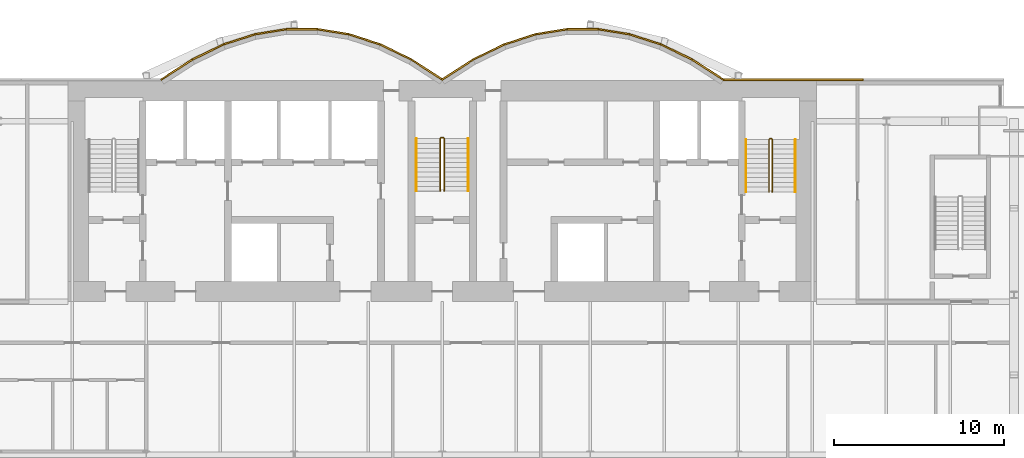
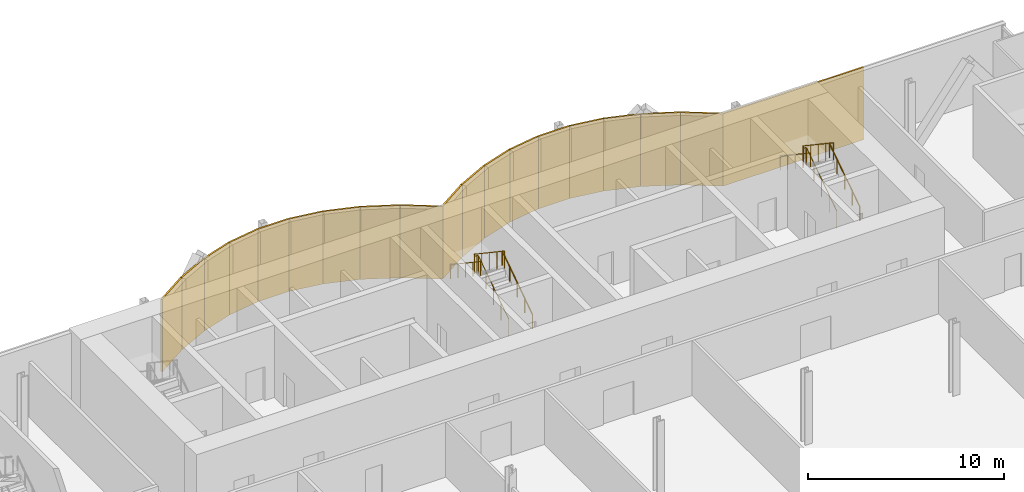
# One storey, part 20 of 21: 19 coverings, 6 railings.
"""IFC4 building model written with IfcOpenShell, lengths in metres."""

from ifc_helpers import new_model, si_unit, direction, frame, origin, origin_2d, place, context, subcontext, project, spatial, rectangle, circle, extrude, material, layer, layer_set, type_object, element, save


model = new_model("IFC4")

# Units and contexts
model_context = context("Model", 3, precision=1e-05, world=origin(), true_north=direction((0.0, 1.0)))
body_context = subcontext(model_context, "Body", "Model", "MODEL_VIEW")
ifc_project = project(units=[si_unit("LENGTHUNIT", "METRE"), si_unit("AREAUNIT", "SQUARE_METRE"), si_unit("VOLUMEUNIT", "CUBIC_METRE"), si_unit("PLANEANGLEUNIT", "RADIAN"), si_unit("MASSUNIT", "GRAM", prefix="KILO")], contexts=[model_context])

# Site, building, storey
site_placement = place(None, origin())
site = spatial("IfcSite", under=ifc_project, at=site_placement, CompositionType="ELEMENT")
building_placement = place(site_placement, origin())
building = spatial("IfcBuilding", under=site, at=building_placement, Name="Bicima Exchange Tower", CompositionType="ELEMENT")
storey_placement = place(building_placement, frame((0.0, 0.0, 66.5)))
storey = spatial("IfcBuildingStorey", under=building, at=storey_placement, Name="L13", CompositionType="ELEMENT", Elevation=66.5)

# Coverings
ifc_material_1 = material(Name="Bronze metal cladding")
ifc_layer_1 = layer(ifc_material_1, 0.004)
ifc_material_2 = material(Name="Ventilated cavity")
ifc_layer_2 = layer(ifc_material_2, 0.06)
ifc_material_3 = material(Name="Galvanised steel rail and mineral wool", Category="steel")
ifc_layer_3 = layer(ifc_material_3, 0.036)
ifc_layer_set = layer_set([ifc_layer_1, ifc_layer_2, ifc_layer_3], Name="Ventilated cavity")
covering_type = type_object("IfcCoveringType", Name="Bronze metal cladding panel 100", PredefinedType="CLADDING", material=ifc_layer_set)
covering_1_placement = place(storey_placement, frame((20.625, 0.050048828125, -0.14990234375), z_axis=(0.0, 0.0, 1.0), x_axis=(-1.0, 0.0, 0.0)))
element("IfcCovering", 1, at=covering_1_placement, inside=storey, type_object=covering_type, Name="Bronze cladding L13 1.2", PredefinedType="CLADDING", context=body_context, shape_type="SweptSolid", body=[
    extrude(rectangle(XDim=8.25, YDim=0.10009765625, at=origin_2d()), origin(), (0.0, 0.0, 1.0), 4.5),
])
covering_2_placement = place(storey_placement, frame((15.610595703125, 0.634521484375, -0.14990234375), z_axis=(0.0, 0.0, 1.0), x_axis=(-0.839790466384, 0.542910648791, 0.0)))
element("IfcCovering", 2, at=covering_2_placement, inside=storey, type_object=covering_type, Name="Bronze cladding L13 2.1", PredefinedType="CLADDING", context=body_context, shape_type="SweptSolid", body=[
    extrude(rectangle(XDim=2.18310546875, YDim=0.10009765625, at=origin_2d()), origin(), (0.0, 0.0, 1.0), 4.5),
])
covering_3_placement = place(storey_placement, frame((13.771728515625, 1.674560546875, -0.14990234375), z_axis=(0.0, 0.0, 1.0), x_axis=(-0.899818346812, 0.436264762204, 0.0)))
element("IfcCovering", 3, at=covering_3_placement, inside=storey, type_object=covering_type, Name="Bronze cladding L13 3.1", PredefinedType="CLADDING", context=body_context, shape_type="SweptSolid", body=[
    extrude(rectangle(XDim=2.03759765625, YDim=0.10009765625, at=origin_2d()), origin(), (0.0, 0.0, 1.0), 4.5),
])
covering_4_placement = place(storey_placement, frame((11.931884765625, 2.41796875, -0.14990234375), z_axis=(0.0, 0.0, 1.0), x_axis=(-0.951524642381, 0.307572519808, 0.0)))
element("IfcCovering", 4, at=covering_4_placement, inside=storey, type_object=covering_type, Name="Bronze cladding L13 4.1", PredefinedType="CLADDING", context=body_context, shape_type="SweptSolid", body=[
    extrude(rectangle(XDim=1.9267578125, YDim=0.10009765625, at=origin_2d()), origin(), (0.0, 0.0, 1.0), 4.5),
])
covering_5_placement = place(storey_placement, frame((10.09130859375, 2.8642578125, -0.14990234375), z_axis=(0.0, 0.0, 1.0), x_axis=(-0.987189786347, 0.159550386184, 0.0)))
element("IfcCovering", 5, at=covering_5_placement, inside=storey, type_object=covering_type, Name="Bronze cladding L13 5.1", PredefinedType="CLADDING", context=body_context, shape_type="SweptSolid", body=[
    extrude(rectangle(XDim=1.857177734375, YDim=0.10009765625, at=origin_2d()), origin(), (0.0, 0.0, 1.0), 4.5),
])
covering_6_placement = place(storey_placement, frame((8.25, 3.012939453125, -0.14990234375), z_axis=(0.0, 0.0, 1.0), x_axis=(-1.0, 0.0, 0.0)))
element("IfcCovering", 6, at=covering_6_placement, inside=storey, type_object=covering_type, Name="Bronze cladding L13 6.1", PredefinedType="CLADDING", context=body_context, shape_type="SweptSolid", body=[
    extrude(rectangle(XDim=1.83349609375, YDim=0.10009765625, at=origin_2d()), origin(), (0.0, 0.0, 1.0), 4.5),
])
covering_7_placement = place(storey_placement, frame((6.40869140625, 2.8642578125, -0.14990234375), z_axis=(0.0, 0.0, 1.0), x_axis=(-0.987189786347, -0.159550386184, 0.0)))
element("IfcCovering", 7, at=covering_7_placement, inside=storey, type_object=covering_type, Name="Bronze cladding L13 7.1", PredefinedType="CLADDING", context=body_context, shape_type="SweptSolid", body=[
    extrude(rectangle(XDim=1.857177734375, YDim=0.10009765625, at=origin_2d()), origin(), (0.0, 0.0, 1.0), 4.5),
])
covering_8_placement = place(storey_placement, frame((4.568115234375, 2.41796875, -0.14990234375), z_axis=(0.0, 0.0, 1.0), x_axis=(-0.951524642381, -0.307572519808, 0.0)))
element("IfcCovering", 8, at=covering_8_placement, inside=storey, type_object=covering_type, Name="Bronze cladding L13 8.1", PredefinedType="CLADDING", context=body_context, shape_type="SweptSolid", body=[
    extrude(rectangle(XDim=1.9267578125, YDim=0.10009765625, at=origin_2d()), origin(), (0.0, 0.0, 1.0), 4.5),
])
covering_9_placement = place(storey_placement, frame((2.728271484375, 1.674560546875, -0.14990234375), z_axis=(0.0, 0.0, 1.0), x_axis=(-0.899818346812, -0.436264762204, 0.0)))
element("IfcCovering", 9, at=covering_9_placement, inside=storey, type_object=covering_type, Name="Bronze cladding L13 9.1", PredefinedType="CLADDING", context=body_context, shape_type="SweptSolid", body=[
    extrude(rectangle(XDim=2.03759765625, YDim=0.10009765625, at=origin_2d()), origin(), (0.0, 0.0, 1.0), 4.5),
])
for number, where, z_axis, x_axis, name in (
    (10, (0.889404296875, 0.634521484375, -0.14990234375), (0.0, 0.0, 1.0), (-0.839790466384, -0.542910648791, 0.0), "Bronze cladding L13 10.1"),
    (11, (-0.889404296875, 0.634521484375, -0.14990234375), (0.0, 0.0, 1.0), (-0.839790466384, 0.542910648791, 0.0), "Bronze cladding L13 11.1"),
):
    element("IfcCovering", number, at=place(storey_placement, frame(where, z_axis=z_axis, x_axis=x_axis)), inside=storey, type_object=covering_type, Name=name, PredefinedType="CLADDING", context=body_context, shape_type="SweptSolid", body=[
        extrude(rectangle(XDim=2.18310546875, YDim=0.10009765625, at=origin_2d()), origin(), (0.0, 0.0, 1.0), 4.5),
    ])
covering_10_placement = place(storey_placement, frame((-2.728271484375, 1.674560546875, -0.14990234375), z_axis=(0.0, 0.0, 1.0), x_axis=(-0.899818346812, 0.436264762204, 0.0)))
element("IfcCovering", 12, at=covering_10_placement, inside=storey, type_object=covering_type, Name="Bronze cladding L13 12.1", PredefinedType="CLADDING", context=body_context, shape_type="SweptSolid", body=[
    extrude(rectangle(XDim=2.03759765625, YDim=0.10009765625, at=origin_2d()), origin(), (0.0, 0.0, 1.0), 4.5),
])
covering_11_placement = place(storey_placement, frame((-4.568115234375, 2.41796875, -0.14990234375), z_axis=(0.0, 0.0, 1.0), x_axis=(-0.951524642381, 0.307572519808, 0.0)))
element("IfcCovering", 13, at=covering_11_placement, inside=storey, type_object=covering_type, Name="Bronze cladding L13 13.1", PredefinedType="CLADDING", context=body_context, shape_type="SweptSolid", body=[
    extrude(rectangle(XDim=1.9267578125, YDim=0.10009765625, at=origin_2d()), origin(), (0.0, 0.0, 1.0), 4.5),
])
covering_12_placement = place(storey_placement, frame((-6.40869140625, 2.8642578125, -0.14990234375), z_axis=(0.0, 0.0, 1.0), x_axis=(-0.987189786347, 0.159550386184, 0.0)))
element("IfcCovering", 14, at=covering_12_placement, inside=storey, type_object=covering_type, Name="Bronze cladding L13 14.1", PredefinedType="CLADDING", context=body_context, shape_type="SweptSolid", body=[
    extrude(rectangle(XDim=1.857177734375, YDim=0.10009765625, at=origin_2d()), origin(), (0.0, 0.0, 1.0), 4.5),
])
covering_13_placement = place(storey_placement, frame((-8.25, 3.012939453125, -0.14990234375), z_axis=(0.0, 0.0, 1.0), x_axis=(-1.0, 0.0, 0.0)))
element("IfcCovering", 15, at=covering_13_placement, inside=storey, type_object=covering_type, Name="Bronze cladding L13 15.1", PredefinedType="CLADDING", context=body_context, shape_type="SweptSolid", body=[
    extrude(rectangle(XDim=1.83349609375, YDim=0.10009765625, at=origin_2d()), origin(), (0.0, 0.0, 1.0), 4.5),
])
covering_14_placement = place(storey_placement, frame((-10.09130859375, 2.8642578125, -0.14990234375), z_axis=(0.0, 0.0, 1.0), x_axis=(-0.987189786347, -0.159550386184, 0.0)))
element("IfcCovering", 16, at=covering_14_placement, inside=storey, type_object=covering_type, Name="Bronze cladding L13 16.1", PredefinedType="CLADDING", context=body_context, shape_type="SweptSolid", body=[
    extrude(rectangle(XDim=1.857177734375, YDim=0.10009765625, at=origin_2d()), origin(), (0.0, 0.0, 1.0), 4.5),
])
covering_15_placement = place(storey_placement, frame((-11.931884765625, 2.41796875, -0.14990234375), z_axis=(0.0, 0.0, 1.0), x_axis=(-0.951524642381, -0.307572519808, 0.0)))
element("IfcCovering", 17, at=covering_15_placement, inside=storey, type_object=covering_type, Name="Bronze cladding L13 17.1", PredefinedType="CLADDING", context=body_context, shape_type="SweptSolid", body=[
    extrude(rectangle(XDim=1.9267578125, YDim=0.10009765625, at=origin_2d()), origin(), (0.0, 0.0, 1.0), 4.5),
])
covering_16_placement = place(storey_placement, frame((-13.771728515625, 1.674560546875, -0.14990234375), z_axis=(0.0, 0.0, 1.0), x_axis=(-0.899818346812, -0.436264762204, 0.0)))
element("IfcCovering", 18, at=covering_16_placement, inside=storey, type_object=covering_type, Name="Bronze cladding L13 18.1", PredefinedType="CLADDING", context=body_context, shape_type="SweptSolid", body=[
    extrude(rectangle(XDim=2.03759765625, YDim=0.10009765625, at=origin_2d()), origin(), (0.0, 0.0, 1.0), 4.5),
])
covering_17_placement = place(storey_placement, frame((-15.610595703125, 0.634521484375, -0.14990234375), z_axis=(0.0, 0.0, 1.0), x_axis=(-0.839790466384, -0.542910648791, 0.0)))
element("IfcCovering", 19, at=covering_17_placement, inside=storey, type_object=covering_type, Name="Bronze cladding L13 19.1", PredefinedType="CLADDING", context=body_context, shape_type="SweptSolid", body=[
    extrude(rectangle(XDim=2.18310546875, YDim=0.10009765625, at=origin_2d()), origin(), (0.0, 0.0, 1.0), 4.5),
])

# Railings
ifc_material_4 = material(Name="Stainless steel", Category="steel")
railing_type_1 = type_object("IfcRailingType", Name="Stair guard 1100", PredefinedType="GUARDRAIL", material=ifc_material_4)
railing_1_placement = place(storey_placement, frame((0.125, -6.5, 0.1875)))
element("IfcRailing", 20, at=railing_1_placement, inside=storey, type_object=railing_type_1, Name="L13 ST-C stair guard 1", PredefinedType="GUARDRAIL", context=body_context, shape_type="SweptSolid", body=[
    extrude(circle(Radius=0.02392578125, at=origin_2d()), frame((0.0, 0.0, 1.076171875), z_axis=(0.0, 0.830913701846, 0.55640131208), x_axis=(-1.0, 0.0, 0.0)), (0.0, 0.0, 1.0), 3.706787109375),
    extrude(circle(Radius=0.02392578125, at=origin_2d()), frame((0.0, 3.080078125, 3.138671875), z_axis=(-0.708833529934, 0.705375805398, 0.0), x_axis=(-0.705375805398, -0.708833529934, 0.0)), (0.0, 0.0, 1.0), 0.070556640625),
    extrude(circle(Radius=0.02392578125, at=origin_2d()), frame((-0.050048828125, 3.1298828125, 3.138671875), z_axis=(-1.0, 0.0, 0.0), x_axis=(0.0, -1.0, 0.0)), (0.0, 0.0, 1.0), 0.14990234375),
    extrude(circle(Radius=0.02392578125, at=origin_2d()), frame((-0.199951171875, 3.1298828125, 3.138671875), z_axis=(-0.249802250048, -0.248583702486, 0.935844527007), x_axis=(0.705375805398, -0.708833529934, 0.0)), (0.0, 0.0, 1.0), 0.200439453125),
    extrude(circle(Radius=0.02392578125, at=origin_2d()), frame((-0.25, 3.080078125, 3.326171875), z_axis=(0.0, -0.830913701846, 0.55640131208), x_axis=(1.0, 0.0, 0.0)), (0.0, 0.0, 1.0), 3.706787109375),
    extrude(circle(Radius=0.02099609375, at=origin_2d()), origin(), (0.0, 0.0, 1.0), 1.052001953125),
    extrude(circle(Radius=0.02099609375, at=origin_2d()), frame((0.0, 0.77001953125, 0.515625)), (0.0, 0.0, 1.0), 1.052001953125),
    extrude(circle(Radius=0.02099609375, at=origin_2d()), frame((0.0, 1.5400390625, 1.03125)), (0.0, 0.0, 1.0), 1.052001953125),
    extrude(circle(Radius=0.02099609375, at=origin_2d()), frame((0.0, 2.31005859375, 1.546875)), (0.0, 0.0, 1.0), 1.052001953125),
    extrude(circle(Radius=0.02099609375, at=origin_2d()), frame((0.0, 3.080078125, 2.0625)), (0.0, 0.0, 1.0), 1.052001953125),
    extrude(circle(Radius=0.02099609375, at=origin_2d()), frame((-0.050048828125, 3.1298828125, 2.0625)), (0.0, 0.0, 1.0), 1.052001953125),
    extrude(circle(Radius=0.02099609375, at=origin_2d()), frame((-0.199951171875, 3.1298828125, 2.0625)), (0.0, 0.0, 1.0), 1.052001953125),
    extrude(circle(Radius=0.02099609375, at=origin_2d()), frame((-0.25, 3.080078125, 2.25)), (0.0, 0.0, 1.0), 1.052001953125),
    extrude(circle(Radius=0.02099609375, at=origin_2d()), frame((-0.25, 2.31005859375, 2.765625)), (0.0, 0.0, 1.0), 1.052001953125),
    extrude(circle(Radius=0.02099609375, at=origin_2d()), frame((-0.25, 1.5400390625, 3.28125)), (0.0, 0.0, 1.0), 1.052001953125),
    extrude(circle(Radius=0.02099609375, at=origin_2d()), frame((-0.25, 0.77001953125, 3.796875)), (0.0, 0.0, 1.0), 1.052001953125),
    extrude(circle(Radius=0.02099609375, at=origin_2d()), frame((-0.25, 0.0, 4.3125)), (0.0, 0.0, 1.0), 1.052001953125),
])
railing_2_placement = place(storey_placement, frame((19.39990234375, -6.550048828125, 0.1875)))
element("IfcRailing", 21, at=railing_2_placement, inside=storey, type_object=railing_type_1, Name="L13 ST-E stair guard 1", PredefinedType="GUARDRAIL", context=body_context, shape_type="SweptSolid", body=[
    extrude(circle(Radius=0.02392578125, at=origin_2d()), frame((0.0, 0.0, 1.076171875), z_axis=(0.0, 0.830913701846, 0.55640131208), x_axis=(-1.0, 0.0, 0.0)), (0.0, 0.0, 1.0), 3.706787109375),
    extrude(circle(Radius=0.02392578125, at=origin_2d()), frame((0.0, 3.080078125, 3.138671875), z_axis=(-0.705375805398, 0.708833529934, 0.0), x_axis=(-0.708833529934, -0.705375805398, 0.0)), (0.0, 0.0, 1.0), 0.070556640625),
    extrude(circle(Radius=0.02392578125, at=origin_2d()), frame((-0.0498046875, 3.130126953125, 3.138671875), z_axis=(-1.0, 0.0, 0.0), x_axis=(0.0, -1.0, 0.0)), (0.0, 0.0, 1.0), 0.10009765625),
    extrude(circle(Radius=0.02392578125, at=origin_2d()), frame((-0.14990234375, 3.130126953125, 3.138671875), z_axis=(-0.249726431254, -0.249726431254, 0.935560483917), x_axis=(0.707106781187, -0.707106781187, 0.0)), (0.0, 0.0, 1.0), 0.200439453125),
    extrude(circle(Radius=0.02392578125, at=origin_2d()), frame((-0.199951171875, 3.080078125, 3.326171875), z_axis=(0.0, -0.830913701846, 0.55640131208), x_axis=(1.0, 0.0, 0.0)), (0.0, 0.0, 1.0), 3.706787109375),
    extrude(circle(Radius=0.02099609375, at=origin_2d()), origin(), (0.0, 0.0, 1.0), 1.052001953125),
    extrude(circle(Radius=0.02099609375, at=origin_2d()), frame((0.0, 0.77001953125, 0.515625)), (0.0, 0.0, 1.0), 1.052001953125),
    extrude(circle(Radius=0.02099609375, at=origin_2d()), frame((0.0, 1.5400390625, 1.03125)), (0.0, 0.0, 1.0), 1.052001953125),
    extrude(circle(Radius=0.02099609375, at=origin_2d()), frame((0.0, 2.31005859375, 1.546875)), (0.0, 0.0, 1.0), 1.052001953125),
    extrude(circle(Radius=0.02099609375, at=origin_2d()), frame((0.0, 3.080078125, 2.0625)), (0.0, 0.0, 1.0), 1.052001953125),
    extrude(circle(Radius=0.02099609375, at=origin_2d()), frame((-0.0498046875, 3.130126953125, 2.0625)), (0.0, 0.0, 1.0), 1.052001953125),
    extrude(circle(Radius=0.02099609375, at=origin_2d()), frame((-0.14990234375, 3.130126953125, 2.0625)), (0.0, 0.0, 1.0), 1.052001953125),
    extrude(circle(Radius=0.02099609375, at=origin_2d()), frame((-0.199951171875, 3.080078125, 2.25)), (0.0, 0.0, 1.0), 1.052001953125),
    extrude(circle(Radius=0.02099609375, at=origin_2d()), frame((-0.199951171875, 2.31005859375, 2.765625)), (0.0, 0.0, 1.0), 1.052001953125),
    extrude(circle(Radius=0.02099609375, at=origin_2d()), frame((-0.199951171875, 1.5400390625, 3.28125)), (0.0, 0.0, 1.0), 1.052001953125),
    extrude(circle(Radius=0.02099609375, at=origin_2d()), frame((-0.199951171875, 0.77001953125, 3.796875)), (0.0, 0.0, 1.0), 1.052001953125),
    extrude(circle(Radius=0.02099609375, at=origin_2d()), frame((-0.199951171875, 0.0, 4.3125)), (0.0, 0.0, 1.0), 1.052001953125),
])
railing_type_2 = type_object("IfcRailingType", Name="Stair handrail 900", PredefinedType="HANDRAIL", material=ifc_material_4)
railing_3_placement = place(storey_placement, frame((1.52490234375, -6.5, 0.1875)))
element("IfcRailing", 22, at=railing_3_placement, inside=storey, type_object=railing_type_2, Name="L13 ST-C stair handrail 1", PredefinedType="HANDRAIL", context=body_context, shape_type="SweptSolid", body=[
    extrude(circle(Radius=0.02392578125, at=origin_2d()), frame((0.0, 0.0, 0.8759765625), z_axis=(0.0, 0.830913701846, 0.55640131208), x_axis=(-1.0, 0.0, 0.0)), (0.0, 0.0, 1.0), 3.706787109375),
    extrude(circle(Radius=0.02099609375, at=origin_2d()), origin(), (0.0, 0.0, 1.0), 0.851806640625),
    extrude(circle(Radius=0.02099609375, at=origin_2d()), frame((0.0, 0.77001953125, 0.515625)), (0.0, 0.0, 1.0), 0.851806640625),
    extrude(circle(Radius=0.02099609375, at=origin_2d()), frame((0.0, 1.5400390625, 1.03125)), (0.0, 0.0, 1.0), 0.851806640625),
    extrude(circle(Radius=0.02099609375, at=origin_2d()), frame((0.0, 2.31005859375, 1.546875)), (0.0, 0.0, 1.0), 0.851806640625),
    extrude(circle(Radius=0.02099609375, at=origin_2d()), frame((0.0, 3.080078125, 2.0625)), (0.0, 0.0, 1.0), 0.851806640625),
])
railing_4_placement = place(storey_placement, frame((-1.52490234375, -3.419921875, 2.47900390625)))
element("IfcRailing", 23, at=railing_4_placement, inside=storey, type_object=railing_type_2, Name="L13 ST-C stair handrail 2", PredefinedType="HANDRAIL", context=body_context, shape_type="SweptSolid", body=[
    extrude(circle(Radius=0.02392578125, at=origin_2d()), frame((0.0, 0.0, 0.8759765625), z_axis=(0.0, -0.830913701846, 0.55640131208), x_axis=(1.0, 0.0, 0.0)), (0.0, 0.0, 1.0), 3.706787109375),
    extrude(circle(Radius=0.02099609375, at=origin_2d()), origin(), (0.0, 0.0, 1.0), 0.851806640625),
    extrude(circle(Radius=0.02099609375, at=origin_2d()), frame((0.0, -0.77001953125, 0.515625)), (0.0, 0.0, 1.0), 0.851806640625),
    extrude(circle(Radius=0.02099609375, at=origin_2d()), frame((0.0, -1.5400390625, 1.03125)), (0.0, 0.0, 1.0), 0.851806640625),
    extrude(circle(Radius=0.02099609375, at=origin_2d()), frame((0.0, -2.31005859375, 1.546875)), (0.0, 0.0, 1.0), 0.851806640625),
    extrude(circle(Radius=0.02099609375, at=origin_2d()), frame((0.0, -3.080078125, 2.0625)), (0.0, 0.0, 1.0), 0.851806640625),
])
railing_5_placement = place(storey_placement, frame((20.75, -6.550048828125, 0.1875)))
element("IfcRailing", 24, at=railing_5_placement, inside=storey, type_object=railing_type_2, Name="L13 ST-E stair handrail 1", PredefinedType="HANDRAIL", context=body_context, shape_type="SweptSolid", body=[
    extrude(circle(Radius=0.02392578125, at=origin_2d()), frame((0.0, 0.0, 0.8759765625), z_axis=(0.0, 0.830913701846, 0.55640131208), x_axis=(-1.0, 0.0, 0.0)), (0.0, 0.0, 1.0), 3.706787109375),
    extrude(circle(Radius=0.02099609375, at=origin_2d()), origin(), (0.0, 0.0, 1.0), 0.851806640625),
    extrude(circle(Radius=0.02099609375, at=origin_2d()), frame((0.0, 0.77001953125, 0.515625)), (0.0, 0.0, 1.0), 0.851806640625),
    extrude(circle(Radius=0.02099609375, at=origin_2d()), frame((0.0, 1.5400390625, 1.03125)), (0.0, 0.0, 1.0), 0.851806640625),
    extrude(circle(Radius=0.02099609375, at=origin_2d()), frame((0.0, 2.31005859375, 1.546875)), (0.0, 0.0, 1.0), 0.851806640625),
    extrude(circle(Radius=0.02099609375, at=origin_2d()), frame((0.0, 3.080078125, 2.0625)), (0.0, 0.0, 1.0), 0.851806640625),
])
railing_6_placement = place(storey_placement, frame((17.85009765625, -3.469970703125, 2.47900390625)))
element("IfcRailing", 25, at=railing_6_placement, inside=storey, type_object=railing_type_2, Name="L13 ST-E stair handrail 2", PredefinedType="HANDRAIL", context=body_context, shape_type="SweptSolid", body=[
    extrude(circle(Radius=0.02392578125, at=origin_2d()), frame((0.0, 0.0, 0.8759765625), z_axis=(0.0, -0.830913701846, 0.55640131208), x_axis=(1.0, 0.0, 0.0)), (0.0, 0.0, 1.0), 3.706787109375),
    extrude(circle(Radius=0.02099609375, at=origin_2d()), origin(), (0.0, 0.0, 1.0), 0.851806640625),
    extrude(circle(Radius=0.02099609375, at=origin_2d()), frame((0.0, -0.77001953125, 0.515625)), (0.0, 0.0, 1.0), 0.851806640625),
    extrude(circle(Radius=0.02099609375, at=origin_2d()), frame((0.0, -1.5400390625, 1.03125)), (0.0, 0.0, 1.0), 0.851806640625),
    extrude(circle(Radius=0.02099609375, at=origin_2d()), frame((0.0, -2.31005859375, 1.546875)), (0.0, 0.0, 1.0), 0.851806640625),
    extrude(circle(Radius=0.02099609375, at=origin_2d()), frame((0.0, -3.080078125, 2.0625)), (0.0, 0.0, 1.0), 0.851806640625),
])

save(model, "model.ifc")
